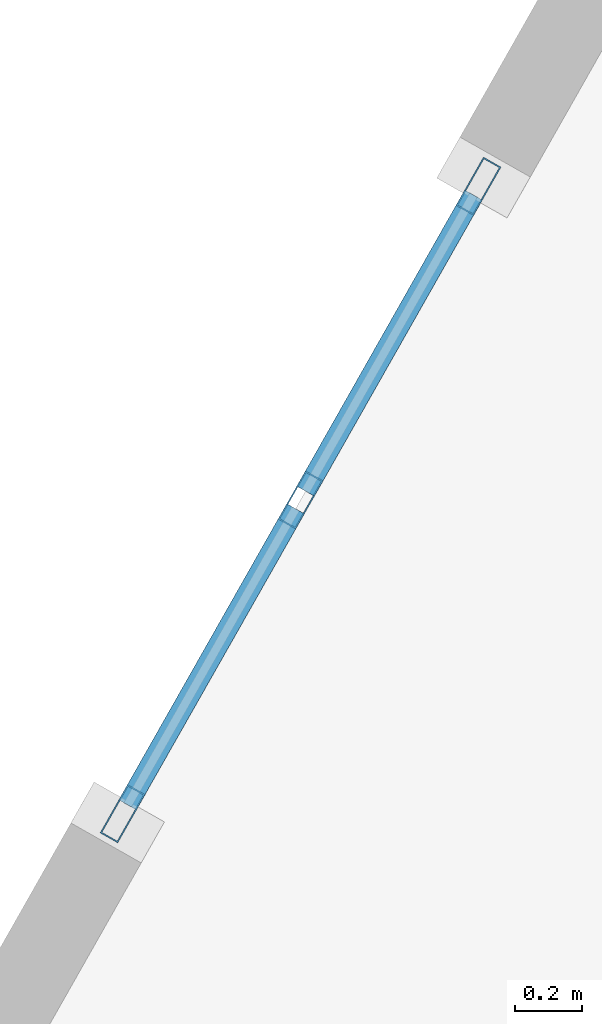
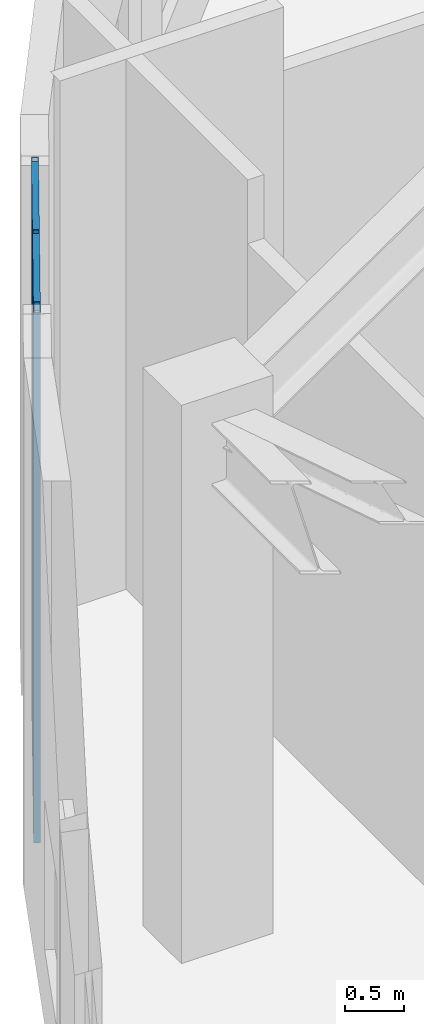
# One storey, part 6 of 16: 9 members, 1 element without a shape of its own.
"""IFC4 building model written with IfcOpenShell, lengths in metres."""

from ifc_helpers import new_model, si_unit, direction, frame, origin, origin_2d, place, context, subcontext, project, spatial, hollow_rectangle, extrude, material, layer, layer_set, material_profile, profile_set, type_object, element, aggregate, save


model = new_model("IFC4")

# Units and contexts
model_context = context("Model", 3, precision=1e-05, world=origin(), true_north=direction((0.0, 1.0)))
body_context = subcontext(model_context, "Body", "Model", "MODEL_VIEW")
ifc_project = project(units=[si_unit("LENGTHUNIT", "METRE"), si_unit("AREAUNIT", "SQUARE_METRE"), si_unit("VOLUMEUNIT", "CUBIC_METRE"), si_unit("PLANEANGLEUNIT", "RADIAN"), si_unit("MASSUNIT", "GRAM", prefix="KILO")], contexts=[model_context])

# Site, building, storey
site_placement = place(None, origin())
site = spatial("IfcSite", under=ifc_project, at=site_placement, CompositionType="ELEMENT")
building_placement = place(site_placement, origin())
building = spatial("IfcBuilding", under=site, at=building_placement, Name="Miruveldt Soraemaru", CompositionType="ELEMENT")
storey_placement = place(building_placement, frame((0.0, 0.0, 289.60009765625)))
storey = spatial("IfcBuildingStorey", under=building, at=storey_placement, Name="L78", CompositionType="ELEMENT", Elevation=289.60009765625)

# Curtain wall, members
ifc_material = material(Name="Anodised aluminium EN AW-6063 T6", Category="aluminium")
ifc_layer = layer(ifc_material, 0.1650390625, Name="Anodised aluminium EN AW-6063 T6", Category="aluminium")
ifc_layer_set = layer_set([ifc_layer], Name="Anodised aluminium EN AW-6063 T6")
curtain_wall_type = type_object("IfcCurtainWallType", Name="CW-SYS-5", PredefinedType="USERDEFINED", material=ifc_layer_set)
curtain_wall_placement = place(storey_placement, origin())
curtain_wall = element("IfcCurtainWall", 1, at=curtain_wall_placement, inside=storey, type_object=curtain_wall_type, Name="L78 Curtain Wall Bay 10", ObjectType="UNITISED GLAZING", PredefinedType="USERDEFINED")
ifc_material_profile_1 = material_profile(ifc_material, hollow_rectangle(XDim=0.06005859375, YDim=0.1650390625, WallThickness=0.00390625, at=origin_2d()), Name="Anodised aluminium EN AW-6063 T6", Category="aluminium")
ifc_profile_set_1 = profile_set([ifc_material_profile_1], Name="Anodised aluminium EN AW-6063 T6")
member_type_1 = type_object("IfcMemberType", Name="CWM-5", PredefinedType="MULLION", material=ifc_profile_set_1)
member_1_placement = place(storey_placement, frame((31.88037109375, 54.177001953125, 0.0), z_axis=(0.0, 0.0, 1.0), x_axis=(0.869845518674, -0.493324207437, 0.0)))
member_1 = element("IfcMember", 2, at=member_1_placement, type_object=member_type_1, Name="CW-5 mullion 1", PredefinedType="MULLION", context=body_context, shape_type="SweptSolid", body=[
    extrude(hollow_rectangle(XDim=0.06005859375, YDim=0.1650390625, WallThickness=0.00390625, at=origin_2d()), origin(), (0.0, 0.0, 1.0), 5.510009765625),
])
member_2_placement = place(storey_placement, frame((31.35205078125, 53.24560546875, 0.0), z_axis=(0.0, 0.0, 1.0), x_axis=(0.869845518674, -0.493324207437, 0.0)))
member_2 = element("IfcMember", 3, at=member_2_placement, type_object=member_type_1, Name="CW-5 mullion 2", PredefinedType="MULLION", context=body_context, shape_type="SweptSolid", body=[
    extrude(hollow_rectangle(XDim=0.06005859375, YDim=0.1650390625, WallThickness=0.00390625, at=origin_2d()), origin(), (0.0, 0.0, 1.0), 5.510009765625),
])
member_3_placement = place(storey_placement, frame((30.82373046875, 52.31396484375, 0.0), z_axis=(0.0, 0.0, 1.0), x_axis=(0.869845518674, -0.493324207437, 0.0)))
member_3 = element("IfcMember", 4, at=member_3_placement, type_object=member_type_1, Name="CW-5 mullion 3", PredefinedType="MULLION", context=body_context, shape_type="SweptSolid", body=[
    extrude(hollow_rectangle(XDim=0.06005859375, YDim=0.1650390625, WallThickness=0.00390625, at=origin_2d()), origin(), (0.0, 0.0, 1.0), 5.510009765625),
])
ifc_material_profile_2 = material_profile(ifc_material, hollow_rectangle(XDim=0.06005859375, YDim=0.1298828125, WallThickness=0.00390625, at=origin_2d()), Name="Anodised aluminium EN AW-6063 T6", Category="aluminium")
ifc_profile_set_2 = profile_set([ifc_material_profile_2], Name="Anodised aluminium EN AW-6063 T6")
member_type_2 = type_object("IfcMemberType", Name="CWT-5", PredefinedType="USERDEFINED", material=ifc_profile_set_2)
member_4_placement = place(storey_placement, frame((31.865478515625, 54.151123046875, 0.02978515625), z_axis=(-0.493067402797, -0.86999111277, 0.0), x_axis=(0.86999111277, -0.493067402797, 0.0)))
member_4 = element("IfcMember", 5, at=member_4_placement, type_object=member_type_2, Name="CW-5 transom 1.1", ObjectType="TRANSOM", PredefinedType="USERDEFINED", context=body_context, shape_type="SweptSolid", body=[
    extrude(hollow_rectangle(XDim=0.06005859375, YDim=0.1298828125, WallThickness=0.00390625, at=origin_2d()), origin(), (0.0, 0.0, 1.0), 1.010986328125),
])
member_5_placement = place(storey_placement, frame((31.865478515625, 54.151123046875, 2.7548828125), z_axis=(-0.493067402797, -0.86999111277, 0.0), x_axis=(0.86999111277, -0.493067402797, 0.0)))
member_5 = element("IfcMember", 6, at=member_5_placement, type_object=member_type_2, Name="CW-5 transom 1.2", ObjectType="TRANSOM", PredefinedType="USERDEFINED", context=body_context, shape_type="SweptSolid", body=[
    extrude(hollow_rectangle(XDim=0.06005859375, YDim=0.1298828125, WallThickness=0.00390625, at=origin_2d()), origin(), (0.0, 0.0, 1.0), 1.010986328125),
])
member_6_placement = place(storey_placement, frame((31.865478515625, 54.151123046875, 5.47998046875), z_axis=(-0.493067402797, -0.86999111277, 0.0), x_axis=(0.86999111277, -0.493067402797, 0.0)))
member_6 = element("IfcMember", 7, at=member_6_placement, type_object=member_type_2, Name="CW-5 transom 1.3", ObjectType="TRANSOM", PredefinedType="USERDEFINED", context=body_context, shape_type="SweptSolid", body=[
    extrude(hollow_rectangle(XDim=0.06005859375, YDim=0.1298828125, WallThickness=0.00390625, at=origin_2d()), origin(), (0.0, 0.0, 1.0), 1.010986328125),
])
member_7_placement = place(storey_placement, frame((31.337158203125, 53.219482421875, 0.02978515625), z_axis=(-0.493353740716, -0.869828768507, 0.0), x_axis=(0.869828768507, -0.493353740716, 0.0)))
member_7 = element("IfcMember", 8, at=member_7_placement, type_object=member_type_2, Name="CW-5 transom 2.1", ObjectType="TRANSOM", PredefinedType="USERDEFINED", context=body_context, shape_type="SweptSolid", body=[
    extrude(hollow_rectangle(XDim=0.06005859375, YDim=0.1298828125, WallThickness=0.00390625, at=origin_2d()), origin(), (0.0, 0.0, 1.0), 1.010986328125),
])
member_8_placement = place(storey_placement, frame((31.337158203125, 53.219482421875, 2.7548828125), z_axis=(-0.493353740716, -0.869828768507, 0.0), x_axis=(0.869828768507, -0.493353740716, 0.0)))
member_8 = element("IfcMember", 9, at=member_8_placement, type_object=member_type_2, Name="CW-5 transom 2.2", ObjectType="TRANSOM", PredefinedType="USERDEFINED", context=body_context, shape_type="SweptSolid", body=[
    extrude(hollow_rectangle(XDim=0.06005859375, YDim=0.1298828125, WallThickness=0.00390625, at=origin_2d()), origin(), (0.0, 0.0, 1.0), 1.010986328125),
])
member_9_placement = place(storey_placement, frame((31.337158203125, 53.219482421875, 5.47998046875), z_axis=(-0.493353740716, -0.869828768507, 0.0), x_axis=(0.869828768507, -0.493353740716, 0.0)))
member_9 = element("IfcMember", 10, at=member_9_placement, type_object=member_type_2, Name="CW-5 transom 2.3", ObjectType="TRANSOM", PredefinedType="USERDEFINED", context=body_context, shape_type="SweptSolid", body=[
    extrude(hollow_rectangle(XDim=0.06005859375, YDim=0.1298828125, WallThickness=0.00390625, at=origin_2d()), origin(), (0.0, 0.0, 1.0), 1.010986328125),
])
aggregate(curtain_wall, [member_1, member_2, member_3, member_4, member_5, member_6, member_7, member_8, member_9])

save(model, "model.ifc")
